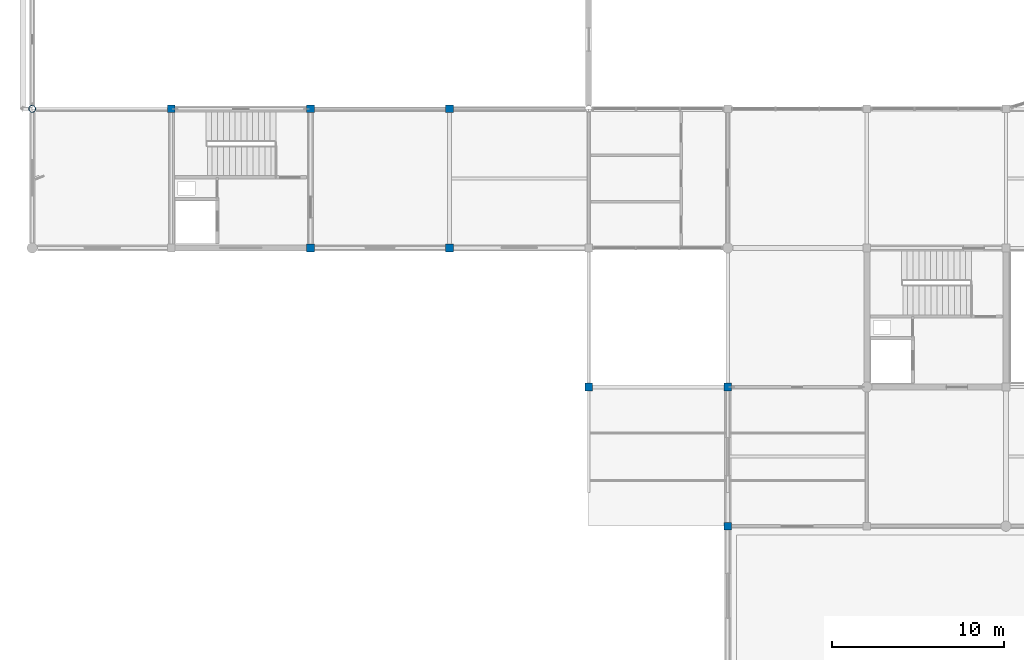
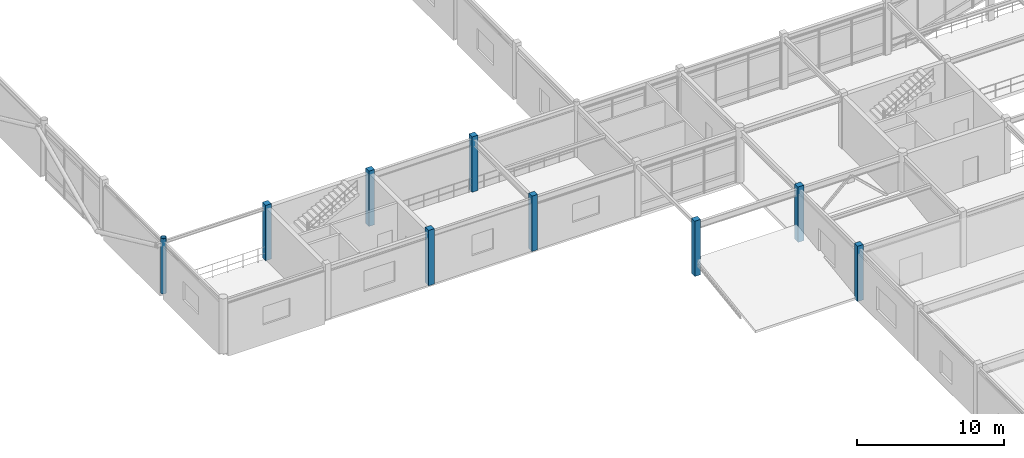
# One storey, part 2 of 93: 9 columns.
"""IFC4 building model written with IfcOpenShell, lengths in metres."""

from ifc_helpers import new_model, si_unit, direction, frame, origin, origin_2d, place, context, subcontext, project, spatial, rectangle, hollow_circle, extrude, material, material_profile, profile_set, type_object, element, save


model = new_model("IFC4")

# Units and contexts
model_context = context("Model", 3, precision=1e-05, world=origin(), true_north=direction((0.0, 1.0)))
body_context = subcontext(model_context, "Body", "Model", "MODEL_VIEW")
ifc_project = project(units=[si_unit("LENGTHUNIT", "METRE"), si_unit("AREAUNIT", "SQUARE_METRE"), si_unit("VOLUMEUNIT", "CUBIC_METRE"), si_unit("PLANEANGLEUNIT", "RADIAN"), si_unit("MASSUNIT", "GRAM", prefix="KILO")], contexts=[model_context])

# Site, building, storey
site_placement = place(None, origin())
site = spatial("IfcSite", under=ifc_project, at=site_placement, CompositionType="ELEMENT")
building_placement = place(site_placement, origin())
building = spatial("IfcBuilding", under=site, at=building_placement, Name="Vaudrelin Polytechnic", CompositionType="ELEMENT")
storey_placement = place(building_placement, frame((0.0, 0.0, 5.10009765625)))
storey = spatial("IfcBuildingStorey", under=building, at=storey_placement, Name="L01", CompositionType="ELEMENT", Elevation=5.10009765625)

# Columns
ifc_material_1 = material(Name="Concrete 40 MPa", Category="concrete")
ifc_material_profile_1 = material_profile(ifc_material_1, rectangle(XDim=0.449951171875, YDim=0.449951171875, at=origin_2d()), Name="RC450x450")
ifc_profile_set_1 = profile_set([ifc_material_profile_1], Name="Concrete 40 MPa")
column_type_1 = type_object("IfcColumnType", Name="COL-C-RC450", PredefinedType="COLUMN", material=ifc_profile_set_1)
for number, where, z_axis, x_axis, name in (
    (1, (8.10009765625, 48.60009765625, 0.0), (0.0, 0.0, 1.0), (1.0, 0.0, 0.0), "Column L01 2-7"),
    (2, (16.199951171875, 40.5, 0.0), (0.0, 0.0, 1.0), (1.0, 0.0, 0.0), "Column L01 3-6"),
    (3, (16.199951171875, 48.60009765625, 0.0), (0.0, 0.0, 1.0), (1.0, 0.0, 0.0), "Column L01 3-7"),
    (4, (24.300048828125, 40.5, 0.0), (0.0, 0.0, 1.0), (1.0, 0.0, 0.0), "Column L01 4-6"),
    (5, (24.300048828125, 48.60009765625, 0.0), (0.0, 0.0, 1.0), (1.0, 0.0, 0.0), "Column L01 4-7"),
    (6, (32.39990234375, 32.39990234375, 0.0), (0.0, 0.0, 1.0), (1.0, 0.0, 0.0), "Column L01 5-5"),
    (7, (40.5, 24.300048828125, 0.0), (0.0, 0.0, 1.0), (1.0, 0.0, 0.0), "Column L01 6-4"),
    (8, (40.5, 32.39990234375, 0.0), (0.0, 0.0, 1.0), (1.0, 0.0, 0.0), "Column L01 6-5"),
):
    element("IfcColumn", number, at=place(storey_placement, frame(where, z_axis=z_axis, x_axis=x_axis)), inside=storey, type_object=column_type_1, Name=name, PredefinedType="COLUMN", context=body_context, shape_type="SweptSolid", body=[
        extrude(rectangle(XDim=0.449951171875, YDim=0.449951171875, at=origin_2d()), origin(), (0.0, 0.0, 1.0), 4.58984375),
    ])
ifc_material_2 = material(Name="Steel CSA G40.21 350WT", Category="steel")
ifc_material_profile_2 = material_profile(ifc_material_2, hollow_circle(Radius=0.203125, WallThickness=0.015869140625, at=origin_2d()), Name="CHS406.4x15.9")
ifc_profile_set_2 = profile_set([ifc_material_profile_2], Name="Steel CSA G40.21 350WT")
column_type_2 = type_object("IfcColumnType", Name="COL-C-TR406", PredefinedType="COLUMN", material=ifc_profile_set_2)
column_placement = place(storey_placement, frame((0.0, 48.60009765625, 0.0), z_axis=(0.0, 0.0, 1.0), x_axis=(1.0, 0.0, 0.0)))
element("IfcColumn", 9, at=column_placement, inside=storey, type_object=column_type_2, Name="Column L01 1-7", PredefinedType="COLUMN", context=body_context, shape_type="SweptSolid", body=[
    extrude(hollow_circle(Radius=0.203125, WallThickness=0.015869140625, at=origin_2d()), origin(), (0.0, 0.0, 1.0), 4.58984375),
])

save(model, "model.ifc")
